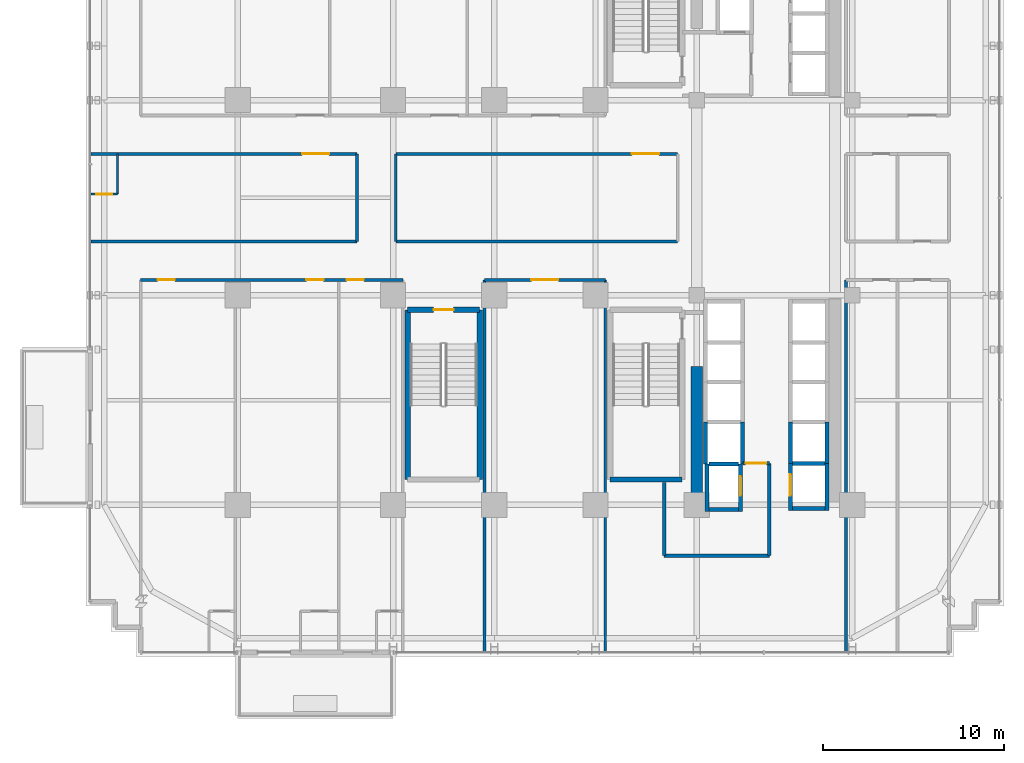
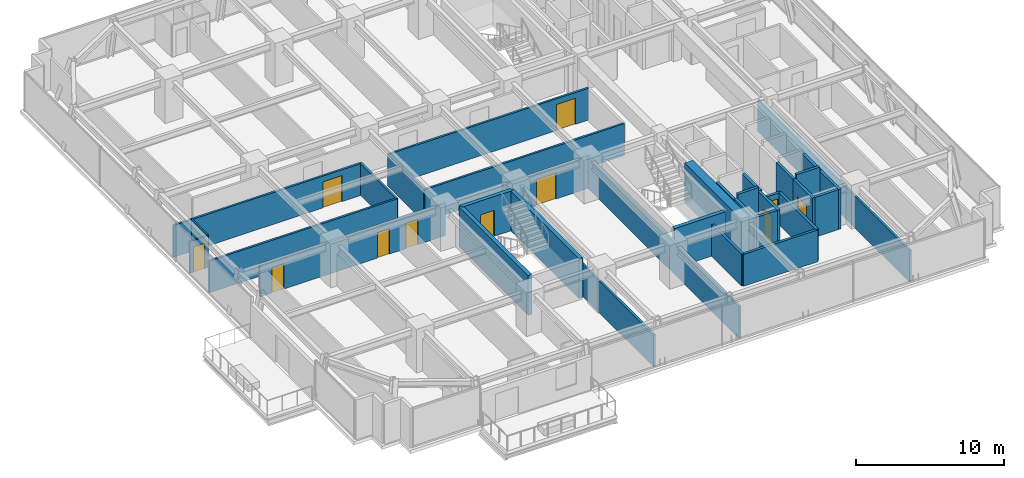
# One storey, part 29 of 35: 34 walls, 11 doors, 11 openings.
"""IFC4 building model written with IfcOpenShell, lengths in metres."""

from ifc_helpers import new_model, si_unit, direction, frame, frame_2d, origin, place, context, subcontext, project, spatial, rectangle, extrude, source, transform, mapped, material, layer, layer_set, type_object, element, fill, save


model = new_model("IFC4")

# Units and contexts
model_context = context("Model", 3, precision=1e-05, world=origin(), true_north=direction((0.0, 1.0)))
body_context = subcontext(model_context, "Body", "Model", "MODEL_VIEW")
ifc_project = project(units=[si_unit("LENGTHUNIT", "METRE"), si_unit("AREAUNIT", "SQUARE_METRE"), si_unit("VOLUMEUNIT", "CUBIC_METRE"), si_unit("PLANEANGLEUNIT", "RADIAN"), si_unit("MASSUNIT", "GRAM", prefix="KILO")], contexts=[model_context])

# Site, building, storey
site_placement = place(None, origin())
site = spatial("IfcSite", under=ifc_project, at=site_placement, CompositionType="ELEMENT")
building_placement = place(site_placement, origin())
building = spatial("IfcBuilding", under=site, at=building_placement, Name="Nahalor Promenade Grand Hotel", CompositionType="ELEMENT")
storey_placement = place(building_placement, frame((0.0, 0.0, 79.85009765625)))
storey = spatial("IfcBuildingStorey", under=building, at=storey_placement, Name="L19", CompositionType="ELEMENT", Elevation=79.85009765625)

# Walls
ifc_material_1 = material(Name="Concrete B-60 (C50/60)", Category="concrete")
ifc_layer_1 = layer(ifc_material_1, 0.64990234375)
ifc_layer_set_1 = layer_set([ifc_layer_1], Name="Concrete B-60 (C50/60)")
wall_type_1 = type_object("IfcWallType", Name="Wall-CoreShear-650", PredefinedType="SHEAR", material=ifc_layer_set_1)
shared_shape_1 = source(origin(), body_context, "Body", "SweptSolid", [
    extrude(rectangle(XDim=7.64990234375, YDim=0.64990234375, at=frame_2d((3.824951171875, 0.0))), origin(), (0.0, 0.0, 1.0), 3.289794921875),
])
wall_1_placement = place(storey_placement, frame((8.39990234375, -17.0, 0.0), z_axis=(0.0, 0.0, 1.0), x_axis=(0.0, 1.0, 0.0)))
element("IfcWall", 1, at=wall_1_placement, inside=storey, type_object=wall_type_1, Name="CWALL-L19-SW", PredefinedType="SHEAR", context=body_context, shape_type="MappedRepresentation", body=[
    mapped(shared_shape_1, transform((0.0, 0.0, 0.0), scale=1.0)),
])
ifc_material_2 = material(Name="Concrete B-50 (C40/50)", Category="concrete")
ifc_layer_2 = layer(ifc_material_2, 0.300048828125)
ifc_layer_set_2 = layer_set([ifc_layer_2], Name="Concrete B-50 (C40/50)")
wall_type_2 = type_object("IfcWallType", Name="Wall-ShaftShear-300", PredefinedType="SHEAR", material=ifc_layer_set_2)
shared_shape_2 = source(origin(), body_context, "Body", "SweptSolid", [
    extrude(rectangle(XDim=3.97998046875, YDim=0.300048828125, at=frame_2d((1.989990234375, 0.0))), origin(), (0.0, 0.0, 1.0), 3.289794921875),
])
wall_2_placement = place(storey_placement, frame((3.610107421875, -15.590087890625, 0.0), z_axis=(0.0, 0.0, 1.0), x_axis=(1.0, 0.0, 0.0)))
element("IfcWall", 2, at=wall_2_placement, inside=storey, type_object=wall_type_2, Name="L19 Exit Stair ST2 Shaft Wall S", PredefinedType="SHEAR", context=body_context, shape_type="MappedRepresentation", body=[
    mapped(shared_shape_2, transform((0.0, 0.0, 0.0), scale=1.0)),
])

# Wall, opening, door
wall_3_placement = place(storey_placement, frame((-7.590087890625, -6.2099609375, 0.0), z_axis=(0.0, 0.0, 1.0), x_axis=(1.0, 0.0, 0.0)))
wall_3 = element("IfcWall", 3, at=wall_3_placement, inside=storey, type_object=wall_type_2, Name="L19 Exit Stair ST3 Shaft Wall N", PredefinedType="SHEAR", context=body_context, shape_type="MappedRepresentation", body=[
    mapped(shared_shape_2, transform((0.0, 0.0, 0.0), scale=1.0)),
])
opening_1_placement = place(wall_3_placement, frame((1.43994140625, 0.0, 0.0)))
opening_1 = element("IfcOpeningElement", 4, at=opening_1_placement, cuts=wall_3, Name="Opening D-ST1", PredefinedType="OPENING", context=body_context, shape_type="SweptSolid", body=[
    extrude(rectangle(XDim=1.10009765625, YDim=2.14990234375, at=frame_2d((0.550048828125, 1.074951171875))), frame((0.0, 0.159912109375, 0.0), z_axis=(0.0, -1.0, 0.0), x_axis=(1.0, 0.0, 0.0)), (0.0, 0.0, 1.0), 0.320068359375),
])
ifc_material_3 = material(Name="Steel S355JR", Category="steel")
door_type_1 = type_object("IfcDoorType", Name="Door-StairFire-1100", OperationType="NOTDEFINED", PredefinedType="DOOR", material=ifc_material_3)
shared_shape_3 = source(origin(), body_context, "Body", "SweptSolid", [
    extrude(rectangle(XDim=1.10009765625, YDim=2.14990234375, at=frame_2d((0.550048828125, 1.074951171875))), frame((0.0, 0.02490234375, 0.0), z_axis=(0.0, -1.0, 0.0), x_axis=(1.0, 0.0, 0.0)), (0.0, 0.0, 1.0), 0.050048828125),
])
door_1_placement = place(opening_1_placement, frame((1.10009765625, 0.0, 0.0), z_axis=(0.0, 0.0, 1.0), x_axis=(-1.0, 0.0, 0.0)))
door_1 = element("IfcDoor", 5, at=door_1_placement, inside=storey, type_object=door_type_1, Name="DR-STAIR-ST3-L19", OperationType="SINGLE_SWING_RIGHT", OverallHeight=2.14990234375, OverallWidth=1.10009765625, PredefinedType="DOOR", context=body_context, shape_type="MappedRepresentation", body=[
    mapped(shared_shape_3, transform((0.0, 0.0, 0.0), scale=1.0)),
])
fill(opening_1, door_1)

# Walls
shared_shape_4 = source(origin(), body_context, "Body", "SweptSolid", [
    extrude(rectangle(XDim=9.380126953125, YDim=0.300048828125, at=frame_2d((4.68994140625, 0.0))), origin(), (0.0, 0.0, 1.0), 3.289794921875),
])
for number, where, z_axis, x_axis, name in (
    (6, (-7.590087890625, -15.590087890625, 0.0), (0.0, 0.0, 1.0), (0.0, 1.0, 0.0), "L19 Exit Stair ST3 Shaft Wall W"),
    (7, (-3.610107421875, -15.590087890625, 0.0), (0.0, 0.0, 1.0), (0.0, 1.0, 0.0), "L19 Exit Stair ST3 Shaft Wall E"),
):
    element("IfcWall", number, at=place(storey_placement, frame(where, z_axis=z_axis, x_axis=x_axis)), inside=storey, type_object=wall_type_2, Name=name, PredefinedType="SHEAR", context=body_context, shape_type="MappedRepresentation", body=[
        mapped(shared_shape_4, transform((0.0, 0.0, 0.0), scale=1.0)),
    ])
ifc_layer_3 = layer(ifc_material_2, 0.219970703125)
ifc_layer_set_3 = layer_set([ifc_layer_3], Name="Concrete B-50 (C40/50)")
wall_type_3 = type_object("IfcWallType", Name="Wall-LiftShaft-220", PredefinedType="SHEAR", material=ifc_layer_set_3)
shared_shape_5 = source(origin(), body_context, "Body", "SweptSolid", [
    extrude(rectangle(XDim=1.820068359375, YDim=0.219970703125, at=frame_2d((0.91015625, 0.0))), origin(), (0.0, 0.0, 1.0), 3.64990234375),
])
wall_4_placement = place(storey_placement, frame((13.68994140625, -14.699951171875, 0.0), z_axis=(0.0, 0.0, 1.0), x_axis=(1.0, 0.0, 0.0)))
element("IfcWall", 8, at=wall_4_placement, inside=storey, type_object=wall_type_3, Name="L19 Lift SV2 Hoistway Wall N", PredefinedType="SHEAR", context=body_context, shape_type="MappedRepresentation", body=[
    mapped(shared_shape_5, transform((0.0, 0.0, 0.0), scale=1.0)),
])
shared_shape_6 = source(origin(), body_context, "Body", "SweptSolid", [
    extrude(rectangle(XDim=1.820068359375, YDim=0.219970703125, at=frame_2d((0.91015625, 0.0))), origin(), (0.0, 0.0, 1.0), 3.289794921875),
])
wall_5_placement = place(storey_placement, frame((13.68994140625, -17.199951171875, 0.0), z_axis=(0.0, 0.0, 1.0), x_axis=(1.0, 0.0, 0.0)))
element("IfcWall", 9, at=wall_5_placement, inside=storey, type_object=wall_type_3, Name="L19 Lift SV2 Hoistway Wall S", PredefinedType="SHEAR", context=body_context, shape_type="MappedRepresentation", body=[
    mapped(shared_shape_6, transform((0.0, 0.0, 0.0), scale=1.0)),
])
shared_shape_7 = source(origin(), body_context, "Body", "SweptSolid", [
    extrude(rectangle(XDim=2.300048828125, YDim=0.219970703125, at=frame_2d((1.14990234375, 0.0))), origin(), (0.0, 0.0, 1.0), 3.289794921875),
])
for number, where, z_axis, x_axis, name in (
    (10, (13.580078125, -14.699951171875, 0.0), (0.0, 0.0, 1.0), (0.0, 1.0, 0.0), "L19 Lift PL8 Hoistway Wall W"),
    (11, (15.6201171875, -14.699951171875, 0.0), (0.0, 0.0, 1.0), (0.0, 1.0, 0.0), "L19 Lift PL8 Hoistway Wall E"),
):
    element("IfcWall", number, at=place(storey_placement, frame(where, z_axis=z_axis, x_axis=x_axis)), inside=storey, type_object=wall_type_3, Name=name, PredefinedType="SHEAR", context=body_context, shape_type="MappedRepresentation", body=[
        mapped(shared_shape_7, transform((0.0, 0.0, 0.0), scale=1.0)),
    ])
shared_shape_8 = source(origin(), body_context, "Body", "SweptSolid", [
    extrude(rectangle(XDim=2.3251953125, YDim=0.219970703125, at=frame_2d((1.16259765625, 0.0))), origin(), (0.0, 0.0, 1.0), 3.289794921875),
])
for number, where, z_axis, x_axis, name in (
    (12, (8.8798828125, -14.72509765625, 0.0), (0.0, 0.0, 1.0), (0.0, 1.0, 0.0), "L19 Lift PL12 Hoistway Wall W"),
    (13, (10.919921875, -14.72509765625, 0.0), (0.0, 0.0, 1.0), (0.0, 1.0, 0.0), "L19 Lift PL12 Hoistway Wall E"),
):
    element("IfcWall", number, at=place(storey_placement, frame(where, z_axis=z_axis, x_axis=x_axis)), inside=storey, type_object=wall_type_3, Name=name, PredefinedType="SHEAR", context=body_context, shape_type="MappedRepresentation", body=[
        mapped(shared_shape_8, transform((0.0, 0.0, 0.0), scale=1.0)),
    ])
shared_shape_9 = source(origin(), body_context, "Body", "SweptSolid", [
    extrude(rectangle(XDim=1.619873046875, YDim=0.219970703125, at=frame_2d((0.81005859375, 0.0))), origin(), (0.0, 0.0, 1.0), 3.64990234375),
])
wall_6_placement = place(storey_placement, frame((9.090087890625, -14.72509765625, 0.0), z_axis=(0.0, 0.0, 1.0), x_axis=(1.0, 0.0, 0.0)))
element("IfcWall", 14, at=wall_6_placement, inside=storey, type_object=wall_type_3, Name="L19 Lift FL2 Hoistway Wall N", PredefinedType="SHEAR", context=body_context, shape_type="MappedRepresentation", body=[
    mapped(shared_shape_9, transform((0.0, 0.0, 0.0), scale=1.0)),
])
shared_shape_10 = source(origin(), body_context, "Body", "SweptSolid", [
    extrude(rectangle(XDim=2.635009765625, YDim=0.219970703125, at=frame_2d((1.3173828125, 0.0))), origin(), (0.0, 0.0, 1.0), 3.289794921875),
])
wall_7_placement = place(storey_placement, frame((8.97998046875, -17.360107421875, 0.0), z_axis=(0.0, 0.0, 1.0), x_axis=(0.0, 1.0, 0.0)))
element("IfcWall", 15, at=wall_7_placement, inside=storey, type_object=wall_type_3, Name="L19 Lift FL2 Hoistway Wall W", PredefinedType="SHEAR", context=body_context, shape_type="MappedRepresentation", body=[
    mapped(shared_shape_10, transform((0.0, 0.0, 0.0), scale=1.0)),
])

# Wall, opening, door
wall_8_placement = place(storey_placement, frame((10.820068359375, -17.360107421875, 0.0), z_axis=(0.0, 0.0, 1.0), x_axis=(0.0, 1.0, 0.0)))
wall_8 = element("IfcWall", 16, at=wall_8_placement, inside=storey, type_object=wall_type_3, Name="L19 Lift FL2 Hoistway Wall E", PredefinedType="SHEAR", context=body_context, shape_type="MappedRepresentation", body=[
    mapped(shared_shape_10, transform((0.0, 0.0, 0.0), scale=1.0)),
])
opening_2_placement = place(wall_8_placement, frame((0.860107421875, 0.0, 0.0)))
opening_2 = element("IfcOpeningElement", 17, at=opening_2_placement, cuts=wall_8, Name="Opening LD-02", PredefinedType="OPENING", context=body_context, shape_type="SweptSolid", body=[
    extrude(rectangle(XDim=1.10009765625, YDim=2.199951171875, at=frame_2d((0.550048828125, 1.10009765625))), frame((0.0, 0.119873046875, 0.0), z_axis=(0.0, -1.0, 0.0), x_axis=(1.0, 0.0, 0.0)), (0.0, 0.0, 1.0), 0.239990234375),
])
door_type_2 = type_object("IfcDoorType", Name="Door-LiftFF-1100", OperationType="DOUBLE_DOOR_SLIDING", PredefinedType="DOOR", material=ifc_material_3)
shared_shape_11 = source(origin(), body_context, "Body", "SweptSolid", [
    extrude(rectangle(XDim=1.10009765625, YDim=2.199951171875, at=frame_2d((0.550048828125, 1.10009765625))), frame((0.0, 0.02490234375, 0.0), z_axis=(0.0, -1.0, 0.0), x_axis=(1.0, 0.0, 0.0)), (0.0, 0.0, 1.0), 0.050048828125),
])
door_2_placement = place(opening_2_placement, frame((1.10009765625, 0.0, 0.0), z_axis=(0.0, 0.0, 1.0), x_axis=(-1.0, 0.0, 0.0)))
door_2 = element("IfcDoor", 18, at=door_2_placement, inside=storey, type_object=door_type_2, Name="DR-LIFT-FL2-L19", OperationType="DOUBLE_DOOR_SLIDING", OverallHeight=2.199951171875, OverallWidth=1.10009765625, PredefinedType="DOOR", context=body_context, shape_type="MappedRepresentation", body=[
    mapped(shared_shape_11, transform((0.0, 0.0, 0.0), scale=1.0)),
])
fill(opening_2, door_2)

# Wall
shared_shape_12 = source(origin(), body_context, "Body", "SweptSolid", [
    extrude(rectangle(XDim=1.619873046875, YDim=0.219970703125, at=frame_2d((0.81005859375, 0.0))), origin(), (0.0, 0.0, 1.0), 3.289794921875),
])
wall_9_placement = place(storey_placement, frame((9.090087890625, -17.25, 0.0), z_axis=(0.0, 0.0, 1.0), x_axis=(1.0, 0.0, 0.0)))
element("IfcWall", 19, at=wall_9_placement, inside=storey, type_object=wall_type_3, Name="L19 Lift FL2 Hoistway Wall S", PredefinedType="SHEAR", context=body_context, shape_type="MappedRepresentation", body=[
    mapped(shared_shape_12, transform((0.0, 0.0, 0.0), scale=1.0)),
])

# Wall, opening, door
shared_shape_13 = source(origin(), body_context, "Body", "SweptSolid", [
    extrude(rectangle(XDim=2.610107421875, YDim=0.219970703125, at=frame_2d((1.30517578125, 0.0))), origin(), (0.0, 0.0, 1.0), 3.289794921875),
])
wall_10_placement = place(storey_placement, frame((13.580078125, -17.31005859375, 0.0), z_axis=(0.0, 0.0, 1.0), x_axis=(0.0, 1.0, 0.0)))
wall_10 = element("IfcWall", 20, at=wall_10_placement, inside=storey, type_object=wall_type_3, Name="L19 Lift SV2 Hoistway Wall W", PredefinedType="SHEAR", context=body_context, shape_type="MappedRepresentation", body=[
    mapped(shared_shape_13, transform((0.0, 0.0, 0.0), scale=1.0)),
])
opening_3_placement = place(wall_10_placement, frame((0.81005859375, 0.0, 0.0)))
opening_3 = element("IfcOpeningElement", 21, at=opening_3_placement, cuts=wall_10, Name="Opening LD-03", PredefinedType="OPENING", context=body_context, shape_type="SweptSolid", body=[
    extrude(rectangle(XDim=1.199951171875, YDim=2.199951171875, at=frame_2d((0.60009765625, 1.10009765625))), frame((0.0, 0.119873046875, 0.0), z_axis=(0.0, -1.0, 0.0), x_axis=(1.0, 0.0, 0.0)), (0.0, 0.0, 1.0), 0.239990234375),
])
door_type_3 = type_object("IfcDoorType", Name="Door-LiftService-1200", OperationType="DOUBLE_DOOR_SLIDING", PredefinedType="DOOR", material=ifc_material_3)
shared_shape_14 = source(origin(), body_context, "Body", "SweptSolid", [
    extrude(rectangle(XDim=1.199951171875, YDim=2.199951171875, at=frame_2d((0.60009765625, 1.10009765625))), frame((0.0, 0.02490234375, 0.0), z_axis=(0.0, -1.0, 0.0), x_axis=(1.0, 0.0, 0.0)), (0.0, 0.0, 1.0), 0.050048828125),
])
door_3_placement = place(opening_3_placement, origin())
door_3 = element("IfcDoor", 22, at=door_3_placement, inside=storey, type_object=door_type_3, Name="DR-LIFT-SV2-L19", OperationType="DOUBLE_DOOR_SLIDING", OverallHeight=2.199951171875, OverallWidth=1.199951171875, PredefinedType="DOOR", context=body_context, shape_type="MappedRepresentation", body=[
    mapped(shared_shape_14, transform((0.0, 0.0, 0.0), scale=1.0)),
])
fill(opening_3, door_3)

# Walls
wall_11_placement = place(storey_placement, frame((15.6201171875, -17.31005859375, 0.0), z_axis=(0.0, 0.0, 1.0), x_axis=(0.0, 1.0, 0.0)))
element("IfcWall", 23, at=wall_11_placement, inside=storey, type_object=wall_type_3, Name="L19 Lift SV2 Hoistway Wall E", PredefinedType="SHEAR", context=body_context, shape_type="MappedRepresentation", body=[
    mapped(shared_shape_13, transform((0.0, 0.0, 0.0), scale=1.0)),
])
ifc_material_4 = material(Name="Concrete B-40 (C32/40)", Category="concrete")
ifc_layer_4 = layer(ifc_material_4, 0.199951171875)
ifc_layer_set_4 = layer_set([ifc_layer_4], Name="Concrete B-40 (C32/40)")
wall_type_4 = type_object("IfcWallType", Name="Wall-PartFire-200", PredefinedType="PARTITIONING", material=ifc_layer_set_4)
shared_shape_15 = source(origin(), body_context, "Body", "SweptSolid", [
    extrude(rectangle(XDim=5.81982421875, YDim=0.199951171875, at=frame_2d((2.909912109375, 0.0))), origin(), (0.0, 0.0, 1.0), 2.6298828125),
])
wall_12_placement = place(storey_placement, frame((6.60009765625, -19.800048828125, 0.0), z_axis=(0.0, 0.0, 1.0), x_axis=(1.0, 0.0, 0.0)))
element("IfcWall", 24, at=wall_12_placement, inside=storey, type_object=wall_type_4, Name="W-L19-FF2-S1", PredefinedType="PARTITIONING", context=body_context, shape_type="MappedRepresentation", body=[
    mapped(shared_shape_15, transform((0.0, 0.0, 0.0), scale=1.0)),
])
shared_shape_16 = source(origin(), body_context, "Body", "SweptSolid", [
    extrude(rectangle(XDim=4.030029296875, YDim=0.199951171875, at=frame_2d((2.01513671875, 0.0))), origin(), (0.0, 0.0, 1.0), 2.6298828125),
])
wall_13_placement = place(storey_placement, frame((6.60009765625, -19.800048828125, 0.0), z_axis=(0.0, 0.0, 1.0), x_axis=(0.0, 1.0, 0.0)))
element("IfcWall", 25, at=wall_13_placement, inside=storey, type_object=wall_type_4, Name="W-L19-FF2-W1", PredefinedType="PARTITIONING", context=body_context, shape_type="MappedRepresentation", body=[
    mapped(shared_shape_16, transform((0.0, 0.0, 0.0), scale=1.0)),
])
shared_shape_17 = source(origin(), body_context, "Body", "SweptSolid", [
    extrude(rectangle(XDim=5.10009765625, YDim=0.199951171875, at=frame_2d((2.550048828125, 0.0))), origin(), (0.0, 0.0, 1.0), 2.6298828125),
])
wall_14_placement = place(storey_placement, frame((12.419921875, -19.800048828125, 0.0), z_axis=(0.0, 0.0, 1.0), x_axis=(0.0, 1.0, 0.0)))
element("IfcWall", 26, at=wall_14_placement, inside=storey, type_object=wall_type_4, Name="W-L19-FF2-E", PredefinedType="PARTITIONING", context=body_context, shape_type="MappedRepresentation", body=[
    mapped(shared_shape_17, transform((0.0, 0.0, 0.0), scale=1.0)),
])

# Wall, opening, door
shared_shape_18 = source(origin(), body_context, "Body", "SweptSolid", [
    extrude(rectangle(XDim=1.4599609375, YDim=0.199951171875, at=frame_2d((0.72998046875, 0.0))), origin(), (0.0, 0.0, 1.0), 2.6298828125),
])
wall_15_placement = place(storey_placement, frame((10.9599609375, -14.699951171875, 0.0), z_axis=(0.0, 0.0, 1.0), x_axis=(1.0, 0.0, 0.0)))
wall_15 = element("IfcWall", 27, at=wall_15_placement, inside=storey, type_object=wall_type_4, Name="W-L19-FF2-N1", PredefinedType="PARTITIONING", context=body_context, shape_type="MappedRepresentation", body=[
    mapped(shared_shape_18, transform((0.0, 0.0, 0.0), scale=1.0)),
])
opening_4_placement = place(wall_15_placement, frame((0.14501953125, 0.0, 0.0)))
opening_4 = element("IfcOpeningElement", 28, at=opening_4_placement, cuts=wall_15, Name="Opening D-FF1", PredefinedType="OPENING", context=body_context, shape_type="SweptSolid", body=[
    extrude(rectangle(XDim=1.14990234375, YDim=2.14990234375, at=frame_2d((0.574951171875, 1.074951171875))), frame((0.0, 0.10986328125, 0.0), z_axis=(0.0, -1.0, 0.0), x_axis=(1.0, 0.0, 0.0)), (0.0, 0.0, 1.0), 0.219970703125),
])
door_type_4 = type_object("IfcDoorType", Name="Door-FFLobby-1150", OperationType="NOTDEFINED", PredefinedType="DOOR", material=ifc_material_3)
shared_shape_19 = source(origin(), body_context, "Body", "SweptSolid", [
    extrude(rectangle(XDim=1.14990234375, YDim=2.14990234375, at=frame_2d((0.574951171875, 1.074951171875))), frame((0.0, 0.02490234375, 0.0), z_axis=(0.0, -1.0, 0.0), x_axis=(1.0, 0.0, 0.0)), (0.0, 0.0, 1.0), 0.050048828125),
])
door_4_placement = place(opening_4_placement, origin())
door_4 = element("IfcDoor", 29, at=door_4_placement, inside=storey, type_object=door_type_4, Name="DR-L19-FFL2", OperationType="SINGLE_SWING_LEFT", OverallHeight=2.14990234375, OverallWidth=1.14990234375, PredefinedType="DOOR", context=body_context, shape_type="MappedRepresentation", body=[
    mapped(shared_shape_19, transform((0.0, 0.0, 0.0), scale=1.0)),
])
fill(opening_4, door_4)

# Walls
ifc_material_5 = material(Name="Acoustic Mineral Gypsum", Category="gypsum")
ifc_layer_5 = layer(ifc_material_5, 0.159912109375)
ifc_layer_set_5 = layer_set([ifc_layer_5], Name="Acoustic Mineral Gypsum")
wall_type_5 = type_object("IfcWallType", Name="Wall-PartCorridor-160", PredefinedType="PARTITIONING", material=ifc_layer_set_5)
shared_shape_20 = source(origin(), body_context, "Body", "SweptSolid", [
    extrude(rectangle(XDim=20.550048828125, YDim=0.159912109375, at=frame_2d((10.27490234375, 0.0))), origin(), (0.0, 0.0, 1.0), 2.6298828125),
])
for number, where, z_axis, x_axis, name in (
    (30, (16.64990234375, -25.10009765625, 0.0), (0.0, 0.0, 1.0), (0.0, 1.0, 0.0), "W-L19-ESE1-W"),
    (31, (-3.340087890625, -25.10009765625, 0.0), (0.0, 0.0, 1.0), (0.0, 1.0, 0.0), "W-L19-SCB-W"),
    (32, (3.340087890625, -25.10009765625, 0.0), (0.0, 0.0, 1.0), (0.0, 1.0, 0.0), "W-L19-SCB-E"),
):
    element("IfcWall", number, at=place(storey_placement, frame(where, z_axis=z_axis, x_axis=x_axis)), inside=storey, type_object=wall_type_5, Name=name, PredefinedType="PARTITIONING", context=body_context, shape_type="MappedRepresentation", body=[
        mapped(shared_shape_20, transform((0.0, 0.0, 0.0), scale=1.0)),
    ])

# Wall, opening, door
ifc_layer_6 = layer(ifc_material_5, 0.1201171875)
ifc_layer_set_6 = layer_set([ifc_layer_6], Name="Acoustic Mineral Gypsum")
wall_type_6 = type_object("IfcWallType", Name="Wall-PartBath-120", PredefinedType="PARTITIONING", material=ifc_layer_set_6)
shared_shape_21 = source(origin(), body_context, "Body", "SweptSolid", [
    extrude(rectangle(XDim=1.4501953125, YDim=0.1201171875, at=frame_2d((0.72509765625, 0.0))), origin(), (0.0, 0.0, 1.0), 2.6298828125),
])
wall_16_placement = place(storey_placement, frame((-25.10009765625, 0.199951171875, 0.0), z_axis=(0.0, 0.0, 1.0), x_axis=(1.0, 0.0, 0.0)))
wall_16 = element("IfcWall", 33, at=wall_16_placement, inside=storey, type_object=wall_type_6, Name="W-L19-W1-BH", PredefinedType="PARTITIONING", context=body_context, shape_type="MappedRepresentation", body=[
    mapped(shared_shape_21, transform((0.0, 0.0, 0.0), scale=1.0)),
])
opening_5_placement = place(wall_16_placement, frame((0.284912109375, 0.0, 0.0)))
opening_5 = element("IfcOpeningElement", 34, at=opening_5_placement, cuts=wall_16, Name="Opening D-03", PredefinedType="OPENING", context=body_context, shape_type="SweptSolid", body=[
    extrude(rectangle(XDim=0.8798828125, YDim=2.10009765625, at=frame_2d((0.43994140625, 1.050048828125))), frame((0.0, 0.070068359375, 0.0), z_axis=(0.0, -1.0, 0.0), x_axis=(1.0, 0.0, 0.0)), (0.0, 0.0, 1.0), 0.14013671875),
])
ifc_material_6 = material(Name="Fire-Rated Timber Composite", Category="wood")
door_type_5 = type_object("IfcDoorType", Name="Door-BathSwing-880", OperationType="NOTDEFINED", PredefinedType="DOOR", material=ifc_material_6)
shared_shape_22 = source(origin(), body_context, "Body", "SweptSolid", [
    extrude(rectangle(XDim=0.8798828125, YDim=2.10009765625, at=frame_2d((0.43994140625, 1.050048828125))), frame((0.0, 0.02490234375, 0.0), z_axis=(0.0, -1.0, 0.0), x_axis=(1.0, 0.0, 0.0)), (0.0, 0.0, 1.0), 0.050048828125),
])
door_5_placement = place(opening_5_placement, origin())
door_5 = element("IfcDoor", 35, at=door_5_placement, inside=storey, type_object=door_type_5, Name="DR-L19-W1-BATH", OperationType="SINGLE_SWING_RIGHT", OverallHeight=2.10009765625, OverallWidth=0.8798828125, PredefinedType="DOOR", context=body_context, shape_type="MappedRepresentation", body=[
    mapped(shared_shape_22, transform((0.0, 0.0, 0.0), scale=1.0)),
])
fill(opening_5, door_5)

# Wall, openings, doors
shared_shape_23 = source(origin(), body_context, "Body", "SweptSolid", [
    extrude(rectangle(XDim=14.5, YDim=0.159912109375, at=frame_2d((7.25, 0.0))), origin(), (0.0, 0.0, 1.0), 2.6298828125),
])
wall_17_placement = place(storey_placement, frame((-22.360107421875, -4.550048828125, 0.0), z_axis=(0.0, 0.0, 1.0), x_axis=(1.0, 0.0, 0.0)))
wall_17 = element("IfcWall", 36, at=wall_17_placement, inside=storey, type_object=wall_type_5, Name="W-L19-CORR-S", PredefinedType="PARTITIONING", context=body_context, shape_type="MappedRepresentation", body=[
    mapped(shared_shape_23, transform((0.0, 0.0, 0.0), scale=1.0)),
])
opening_6_placement = place(wall_17_placement, frame((0.931884765625, 0.0, 0.0)))
opening_6 = element("IfcOpeningElement", 37, at=opening_6_placement, cuts=wall_17, Name="Opening D-01", PredefinedType="OPENING", context=body_context, shape_type="SweptSolid", body=[
    extrude(rectangle(XDim=0.949951171875, YDim=2.10009765625, at=frame_2d((0.47509765625, 1.050048828125))), frame((0.0, 0.08984375, 0.0), z_axis=(0.0, -1.0, 0.0), x_axis=(1.0, 0.0, 0.0)), (0.0, 0.0, 1.0), 0.179931640625),
])
opening_7_placement = place(wall_17_placement, frame((9.1630859375, 0.0, 0.0)))
opening_7 = element("IfcOpeningElement", 38, at=opening_7_placement, cuts=wall_17, Name="Opening D-01", PredefinedType="OPENING", context=body_context, shape_type="SweptSolid", body=[
    extrude(rectangle(XDim=0.949951171875, YDim=2.10009765625, at=frame_2d((0.47509765625, 1.050048828125))), frame((0.0, 0.08984375, 0.0), z_axis=(0.0, -1.0, 0.0), x_axis=(1.0, 0.0, 0.0)), (0.0, 0.0, 1.0), 0.179931640625),
])
opening_8_placement = place(wall_17_placement, frame((11.39404296875, 0.0, 0.0)))
opening_8 = element("IfcOpeningElement", 39, at=opening_8_placement, cuts=wall_17, Name="Opening D-01", PredefinedType="OPENING", context=body_context, shape_type="SweptSolid", body=[
    extrude(rectangle(XDim=0.949951171875, YDim=2.10009765625, at=frame_2d((0.47509765625, 1.050048828125))), frame((0.0, 0.08984375, 0.0), z_axis=(0.0, -1.0, 0.0), x_axis=(1.0, 0.0, 0.0)), (0.0, 0.0, 1.0), 0.179931640625),
])
door_type_6 = type_object("IfcDoorType", Name="Door-GuestEntry-950", OperationType="NOTDEFINED", PredefinedType="DOOR", material=ifc_material_6)
shared_shape_24 = source(origin(), body_context, "Body", "SweptSolid", [
    extrude(rectangle(XDim=0.949951171875, YDim=2.10009765625, at=frame_2d((0.47509765625, 1.050048828125))), frame((0.0, 0.02490234375, 0.0), z_axis=(0.0, -1.0, 0.0), x_axis=(1.0, 0.0, 0.0)), (0.0, 0.0, 1.0), 0.050048828125),
])
door_6_placement = place(opening_6_placement, frame((0.949951171875, 0.0, 0.0), z_axis=(0.0, 0.0, 1.0), x_axis=(-1.0, 0.0, 0.0)))
door_6 = element("IfcDoor", 40, at=door_6_placement, inside=storey, type_object=door_type_6, Name="DR-L19-S1-ENT", OperationType="SINGLE_SWING_LEFT", OverallHeight=2.10009765625, OverallWidth=0.949951171875, PredefinedType="DOOR", context=body_context, shape_type="MappedRepresentation", body=[
    mapped(shared_shape_24, transform((0.0, 0.0, 0.0), scale=1.0)),
])
fill(opening_6, door_6)
door_7_placement = place(opening_7_placement, frame((0.949951171875, 0.0, 0.0), z_axis=(0.0, 0.0, 1.0), x_axis=(-1.0, 0.0, 0.0)))
door_7 = element("IfcDoor", 41, at=door_7_placement, inside=storey, type_object=door_type_6, Name="DR-L19-S2-ENT", OperationType="SINGLE_SWING_LEFT", OverallHeight=2.10009765625, OverallWidth=0.949951171875, PredefinedType="DOOR", context=body_context, shape_type="MappedRepresentation", body=[
    mapped(shared_shape_24, transform((0.0, 0.0, 0.0), scale=1.0)),
])
fill(opening_7, door_7)
door_8_placement = place(opening_8_placement, frame((0.949951171875, 0.0, 0.0), z_axis=(0.0, 0.0, 1.0), x_axis=(-1.0, 0.0, 0.0)))
door_8 = element("IfcDoor", 42, at=door_8_placement, inside=storey, type_object=door_type_6, Name="DR-L19-S3-ENT", OperationType="SINGLE_SWING_LEFT", OverallHeight=2.10009765625, OverallWidth=0.949951171875, PredefinedType="DOOR", context=body_context, shape_type="MappedRepresentation", body=[
    mapped(shared_shape_24, transform((0.0, 0.0, 0.0), scale=1.0)),
])
fill(opening_8, door_8)

# Wall, opening, door
shared_shape_25 = source(origin(), body_context, "Body", "SweptSolid", [
    extrude(rectangle(XDim=6.68017578125, YDim=0.159912109375, at=frame_2d((3.340087890625, 0.0))), origin(), (0.0, 0.0, 1.0), 2.6298828125),
])
wall_18_placement = place(storey_placement, frame((-3.340087890625, -4.550048828125, 0.0), z_axis=(0.0, 0.0, 1.0), x_axis=(1.0, 0.0, 0.0)))
wall_18 = element("IfcWall", 43, at=wall_18_placement, inside=storey, type_object=wall_type_5, Name="W-L19-SCB-N", PredefinedType="PARTITIONING", context=body_context, shape_type="MappedRepresentation", body=[
    mapped(shared_shape_25, transform((0.0, 0.0, 0.0), scale=1.0)),
])
opening_9_placement = place(wall_18_placement, frame((2.590087890625, 0.0, 0.0)))
opening_9 = element("IfcOpeningElement", 44, at=opening_9_placement, cuts=wall_18, Name="Opening D-02", PredefinedType="OPENING", context=body_context, shape_type="SweptSolid", body=[
    extrude(rectangle(XDim=1.5, YDim=2.14990234375, at=frame_2d((0.75, 1.074951171875))), frame((0.0, 0.08984375, 0.0), z_axis=(0.0, -1.0, 0.0), x_axis=(1.0, 0.0, 0.0)), (0.0, 0.0, 1.0), 0.179931640625),
])
door_type_7 = type_object("IfcDoorType", Name="Door-SuiteDouble-1500", OperationType="DOUBLE_DOOR_SINGLE_SWING", PredefinedType="DOOR", material=ifc_material_6)
shared_shape_26 = source(origin(), body_context, "Body", "SweptSolid", [
    extrude(rectangle(XDim=1.5, YDim=2.14990234375, at=frame_2d((0.75, 1.074951171875))), frame((0.0, 0.02490234375, 0.0), z_axis=(0.0, -1.0, 0.0), x_axis=(1.0, 0.0, 0.0)), (0.0, 0.0, 1.0), 0.050048828125),
])
door_9_placement = place(opening_9_placement, frame((1.5, 0.0, 0.0), z_axis=(0.0, 0.0, 1.0), x_axis=(-1.0, 0.0, 0.0)))
door_9 = element("IfcDoor", 45, at=door_9_placement, inside=storey, type_object=door_type_7, Name="DR-L19-SCB", OperationType="DOUBLE_DOOR_SINGLE_SWING", OverallHeight=2.14990234375, OverallWidth=1.5, PredefinedType="DOOR", context=body_context, shape_type="MappedRepresentation", body=[
    mapped(shared_shape_26, transform((0.0, 0.0, 0.0), scale=1.0)),
])
fill(opening_9, door_9)

shared_shape_27 = source(origin(), body_context, "Body", "SweptSolid", [
    extrude(rectangle(XDim=14.7001953125, YDim=0.159912109375, at=frame_2d((7.35009765625, 0.0))), origin(), (0.0, 0.0, 1.0), 2.6298828125),
])
wall_19_placement = place(storey_placement, frame((-25.10009765625, 2.419921875, 0.0), z_axis=(0.0, 0.0, 1.0), x_axis=(1.0, 0.0, 0.0)))
wall_19 = element("IfcWall", 46, at=wall_19_placement, inside=storey, type_object=wall_type_5, Name="W-L19-WEST-N", PredefinedType="PARTITIONING", context=body_context, shape_type="MappedRepresentation", body=[
    mapped(shared_shape_27, transform((0.0, 0.0, 0.0), scale=1.0)),
])
opening_10_placement = place(wall_19_placement, frame((11.6630859375, 0.0, 0.0)))
opening_10 = element("IfcOpeningElement", 47, at=opening_10_placement, cuts=wall_19, Name="Opening D-02", PredefinedType="OPENING", context=body_context, shape_type="SweptSolid", body=[
    extrude(rectangle(XDim=1.5, YDim=2.14990234375, at=frame_2d((0.75, 1.074951171875))), frame((0.0, 0.08984375, 0.0), z_axis=(0.0, -1.0, 0.0), x_axis=(1.0, 0.0, 0.0)), (0.0, 0.0, 1.0), 0.179931640625),
])
door_10_placement = place(opening_10_placement, origin())
door_10 = element("IfcDoor", 48, at=door_10_placement, inside=storey, type_object=door_type_7, Name="DR-L19-W1-ENT", OperationType="DOUBLE_DOOR_SINGLE_SWING", OverallHeight=2.14990234375, OverallWidth=1.5, PredefinedType="DOOR", context=body_context, shape_type="MappedRepresentation", body=[
    mapped(shared_shape_26, transform((0.0, 0.0, 0.0), scale=1.0)),
])
fill(opening_10, door_10)

# Walls
wall_20_placement = place(storey_placement, frame((-25.10009765625, -2.419921875, 0.0), z_axis=(0.0, 0.0, 1.0), x_axis=(1.0, 0.0, 0.0)))
element("IfcWall", 49, at=wall_20_placement, inside=storey, type_object=wall_type_5, Name="W-L19-WEST-S", PredefinedType="PARTITIONING", context=body_context, shape_type="MappedRepresentation", body=[
    mapped(shared_shape_27, transform((0.0, 0.0, 0.0), scale=1.0)),
])
shared_shape_28 = source(origin(), body_context, "Body", "SweptSolid", [
    extrude(rectangle(XDim=4.83984375, YDim=0.159912109375, at=frame_2d((2.419921875, 0.0))), origin(), (0.0, 0.0, 1.0), 2.6298828125),
])
for number, where, z_axis, x_axis, name in (
    (50, (-10.39990234375, -2.419921875, 0.0), (0.0, 0.0, 1.0), (0.0, 1.0, 0.0), "W-L19-WEST-E"),
    (51, (-8.25, -2.419921875, 0.0), (0.0, 0.0, 1.0), (0.0, 1.0, 0.0), "W-L19-CM1-W"),
):
    element("IfcWall", number, at=place(storey_placement, frame(where, z_axis=z_axis, x_axis=x_axis)), inside=storey, type_object=wall_type_5, Name=name, PredefinedType="PARTITIONING", context=body_context, shape_type="MappedRepresentation", body=[
        mapped(shared_shape_28, transform((0.0, 0.0, 0.0), scale=1.0)),
    ])
shared_shape_29 = source(origin(), body_context, "Body", "SweptSolid", [
    extrude(rectangle(XDim=2.219970703125, YDim=0.1201171875, at=frame_2d((1.10986328125, 0.0))), origin(), (0.0, 0.0, 1.0), 2.6298828125),
])
wall_21_placement = place(storey_placement, frame((-23.64990234375, 0.199951171875, 0.0), z_axis=(0.0, 0.0, 1.0), x_axis=(0.0, 1.0, 0.0)))
element("IfcWall", 52, at=wall_21_placement, inside=storey, type_object=wall_type_6, Name="W-L19-W1-BV", PredefinedType="PARTITIONING", context=body_context, shape_type="MappedRepresentation", body=[
    mapped(shared_shape_29, transform((0.0, 0.0, 0.0), scale=1.0)),
])
shared_shape_30 = source(origin(), body_context, "Body", "SweptSolid", [
    extrude(rectangle(XDim=15.60009765625, YDim=0.159912109375, at=frame_2d((7.800048828125, 0.0))), origin(), (0.0, 0.0, 1.0), 2.6298828125),
])
wall_22_placement = place(storey_placement, frame((-8.25, -2.419921875, 0.0), z_axis=(0.0, 0.0, 1.0), x_axis=(1.0, 0.0, 0.0)))
element("IfcWall", 53, at=wall_22_placement, inside=storey, type_object=wall_type_5, Name="W-L19-CM1-S", PredefinedType="PARTITIONING", context=body_context, shape_type="MappedRepresentation", body=[
    mapped(shared_shape_30, transform((0.0, 0.0, 0.0), scale=1.0)),
])

# Wall, opening, door
wall_23_placement = place(storey_placement, frame((-8.25, 2.419921875, 0.0), z_axis=(0.0, 0.0, 1.0), x_axis=(1.0, 0.0, 0.0)))
wall_23 = element("IfcWall", 54, at=wall_23_placement, inside=storey, type_object=wall_type_5, Name="W-L19-CM1-N", PredefinedType="PARTITIONING", context=body_context, shape_type="MappedRepresentation", body=[
    mapped(shared_shape_30, transform((0.0, 0.0, 0.0), scale=1.0)),
])
opening_11_placement = place(wall_23_placement, frame((13.06689453125, 0.0, 0.0)))
opening_11 = element("IfcOpeningElement", 55, at=opening_11_placement, cuts=wall_23, Name="Opening D-02", PredefinedType="OPENING", context=body_context, shape_type="SweptSolid", body=[
    extrude(rectangle(XDim=1.5, YDim=2.14990234375, at=frame_2d((0.75, 1.074951171875))), frame((0.0, 0.08984375, 0.0), z_axis=(0.0, -1.0, 0.0), x_axis=(1.0, 0.0, 0.0)), (0.0, 0.0, 1.0), 0.179931640625),
])
door_11_placement = place(opening_11_placement, frame((1.5, 0.0, 0.0), z_axis=(0.0, 0.0, 1.0), x_axis=(-1.0, 0.0, 0.0)))
door_11 = element("IfcDoor", 56, at=door_11_placement, inside=storey, type_object=door_type_7, Name="DR-L19-CM1", OperationType="DOUBLE_DOOR_SINGLE_SWING", OverallHeight=2.14990234375, OverallWidth=1.5, PredefinedType="DOOR", context=body_context, shape_type="MappedRepresentation", body=[
    mapped(shared_shape_26, transform((0.0, 0.0, 0.0), scale=1.0)),
])
fill(opening_11, door_11)

save(model, "model.ifc")
